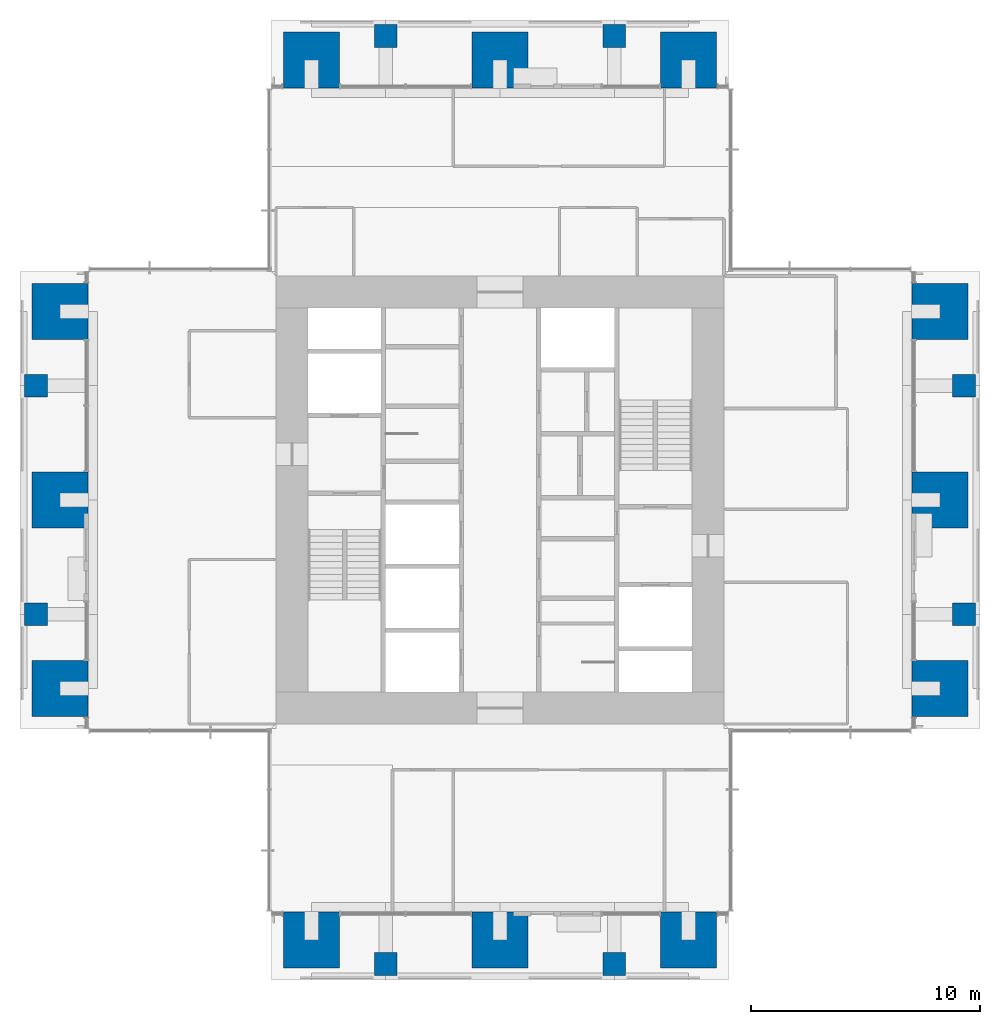
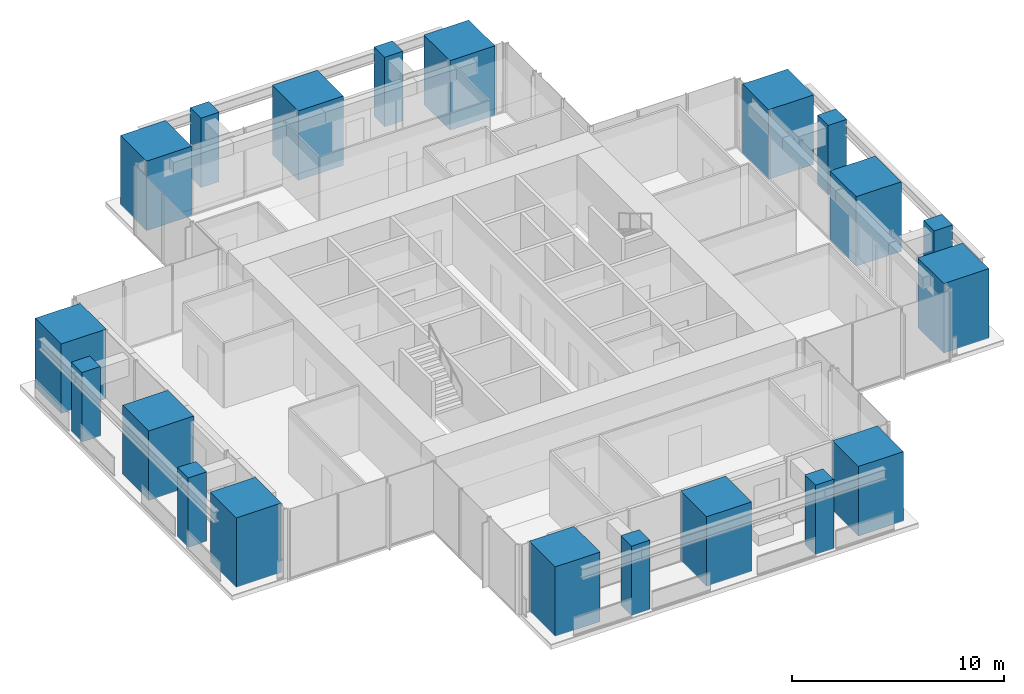
# One storey, part 1 of 17: 20 columns.
"""IFC4 building model written with IfcOpenShell, lengths in metres."""

import ifcopenshell
import ifcopenshell.guid

model = None  # the IFC model being written
_history = None  # IfcOwnerHistory: only IFC2X3 demands one
_inside = {}  # id of a spatial element -> (the spatial element, [elements in it])
_under = {}  # id of a project, library or spatial element -> (it, [spatial elements below it])
_declared = {}  # id of a project -> (the project, [libraries it declares])
_typed = {}  # id of a type object -> (the type object, [elements of that type])
_made_of = {}  # id of a material, layer set ... -> (it, [elements and type objects made of it])


def new_model(schema):
    """Start an empty IFC model of exactly this schema.

    Asked for "IFC4X3", IfcOpenShell would pick the latest addendum, in which some entities
    have other attributes; the version numbers below select the first issue.
    IFC2X3 requires an IfcOwnerHistory on every rooted entity: one is made here for all.
    """
    global model, _history
    if schema == "IFC4X3":
        model = ifcopenshell.file(schema_version=(4, 3, 0, 0))
    else:
        model = ifcopenshell.file(schema=schema)
    _inside.clear()
    _under.clear()
    _declared.clear()
    _typed.clear()
    _made_of.clear()
    _history = None
    if model.schema == "IFC2X3":
        org = make("IfcOrganization", Name="unknown")
        user = make(
            "IfcPersonAndOrganization",
            ThePerson=make("IfcPerson", FamilyName="unknown"),
            TheOrganization=org,
        )
        app = make(
            "IfcApplication",
            ApplicationDeveloper=org,
            Version="unknown",
            ApplicationFullName="unknown",
            ApplicationIdentifier="unknown",
        )
        _history = make(
            "IfcOwnerHistory",
            OwningUser=user,
            OwningApplication=app,
            ChangeAction="ADDED",
            CreationDate=0,
        )
    return model


def make(cls, **values):
    """One entity of the class cls with the attributes given. An attribute that is None is left unset."""
    return model.create_entity(
        cls, **{name: value for name, value in values.items() if value is not None}
    )


def rooted(cls, **values):
    """An entity with a GlobalId (a new one), such as an element, a storey or a relation."""
    return make(cls, GlobalId=ifcopenshell.guid.new(), OwnerHistory=_history, **values)


def si_unit(unit_type, name, prefix=None):
    """IfcSIUnit, for example si_unit("LENGTHUNIT", "METRE", prefix="MILLI")."""
    return make("IfcSIUnit", UnitType=unit_type, Prefix=prefix, Name=name)


def assignment(units):
    """IfcUnitAssignment: the units of a project."""
    return None if units is None else make("IfcUnitAssignment", Units=units)


def point(xyz):
    """IfcCartesianPoint."""
    return None if xyz is None else make("IfcCartesianPoint", Coordinates=xyz)


def direction(xyz):
    """IfcDirection."""
    return None if xyz is None else make("IfcDirection", DirectionRatios=xyz)


def frame(location, z_axis=None, x_axis=None):
    """IfcAxis2Placement3D, a coordinate frame: its origin and axes. An axis left out is left unset."""
    return make(
        "IfcAxis2Placement3D",
        Location=point(location),
        Axis=direction(z_axis),
        RefDirection=direction(x_axis),
    )


def frame_2d(location, x_axis=None):
    """IfcAxis2Placement2D, a coordinate frame in the plane: its origin and x axis."""
    return make(
        "IfcAxis2Placement2D", Location=point(location), RefDirection=direction(x_axis)
    )


def origin():
    """The frame at (0, 0, 0) with its axes left unset."""
    return frame((0.0, 0.0, 0.0))


def origin_2d():
    """The frame at (0, 0) in the plane with its x axis left unset."""
    return frame_2d((0.0, 0.0))


def place(relative_to, where):
    """IfcLocalPlacement: puts the frame where relative to a parent placement (None: the world)."""
    return make(
        "IfcLocalPlacement", PlacementRelTo=relative_to, RelativePlacement=where
    )


def context(
    kind, dimensions, precision=None, world=None, true_north=None, identifier=None
):
    """IfcGeometricRepresentationContext, for example the 3D "Model" context."""
    return make(
        "IfcGeometricRepresentationContext",
        ContextIdentifier=identifier,
        ContextType=kind,
        CoordinateSpaceDimension=dimensions,
        Precision=precision,
        WorldCoordinateSystem=world,
        TrueNorth=true_north,
    )


def subcontext(parent, identifier, kind, view, scale=None):
    """IfcGeometricRepresentationSubContext, for example "Body" below "Model"."""
    return make(
        "IfcGeometricRepresentationSubContext",
        ContextIdentifier=identifier,
        ContextType=kind,
        ParentContext=parent,
        TargetScale=scale,
        TargetView=view,
    )


def project(units=None, contexts=None):
    """IfcProject with its units and contexts."""
    return rooted(
        "IfcProject",
        Name="project",
        RepresentationContexts=contexts,
        UnitsInContext=assignment(units),
    )


def spatial(cls, under=None, at=None, **own):
    """A site, building, storey or space (cls), placed at a placement, below another one or the project."""
    s = rooted(cls, ObjectPlacement=at, **own)
    if under is not None:
        _under.setdefault(under.id(), (under, []))[1].append(s)
    return s


def profile(cls, at=None, kind="AREA", **sizes):
    """A parametric profile (cls). Its sizes go by their IFC names, for example OverallWidth=200.0."""
    return make(cls, ProfileType=kind, Position=at, **sizes)


def rectangle(**sizes):
    """IfcRectangleProfileDef."""
    return profile("IfcRectangleProfileDef", **sizes)


def extrude(swept, where, along, depth):
    """IfcExtrudedAreaSolid: the profile swept, set in the frame where, extruded along a direction by depth."""
    return make(
        "IfcExtrudedAreaSolid",
        SweptArea=swept,
        Position=where,
        ExtrudedDirection=direction(along),
        Depth=depth,
    )


def shape(context_of_items, identifier, shape_type, items):
    """IfcShapeRepresentation: the items that make up one representation, for example the "Body"."""
    return make(
        "IfcShapeRepresentation",
        ContextOfItems=context_of_items,
        RepresentationIdentifier=identifier,
        RepresentationType=shape_type,
        Items=items,
    )


def material(Name=None, Category=None):
    """IfcMaterial."""
    return make("IfcMaterial", Name=Name, Category=Category)


def material_profile(
    of_material, cross_section, Name=None, Category=None, Priority=None
):
    """IfcMaterialProfile: a cross section and its material."""
    return make(
        "IfcMaterialProfile",
        Name=Name,
        Material=of_material,
        Profile=cross_section,
        Priority=Priority,
        Category=Category,
    )


def profile_set(profiles, Name=None, composite=None):
    """IfcMaterialProfileSet."""
    return make(
        "IfcMaterialProfileSet",
        Name=Name,
        MaterialProfiles=profiles,
        CompositeProfile=composite,
    )


def made_of(thing, what):
    """Note that an element or type object is made of a material, layer set ...; save() writes the relation."""
    if what is not None:
        _made_of.setdefault(what.id(), (what, []))[1].append(thing)
    return thing


def type_object(cls, material=None, **own):
    """A type object (cls), such as IfcWallType, which elements share."""
    return made_of(rooted(cls, **own), material)


def element(
    cls,
    number,
    at=None,
    inside=None,
    cuts=None,
    type_object=None,
    material=None,
    context=None,
    identifier="Body",
    shape_type=None,
    held_by="IfcProductDefinitionShape",
    body=None,
    shapes=None,
    **own,
):
    """One element of the class cls, such as IfcWall. Its Tag is "e" and its number.

    at: its placement. inside: the storey or other place that contains it. cuts: it is an
    opening in that element (IfcRelVoidsElement). A single representation is given by context,
    identifier, shape_type and body (its items); several are given by shapes. held_by: the class
    of the entity that holds the representations. save() writes the other relations.
    """
    e = rooted(cls, Tag="e%d" % number, ObjectPlacement=at, **own)
    if body is not None:
        shapes = [shape(context, identifier, shape_type, body)]
    if shapes is not None:
        e.Representation = make(held_by, Representations=shapes)
    if inside is not None:
        _inside.setdefault(inside.id(), (inside, []))[1].append(e)
    if cuts is not None:
        rooted(
            "IfcRelVoidsElement", RelatingBuildingElement=cuts, RelatedOpeningElement=e
        )
    if type_object is not None:
        _typed.setdefault(type_object.id(), (type_object, []))[1].append(e)
    return made_of(e, material)


def aggregate(whole, parts):
    """IfcRelAggregates: a whole, such as a stair, and the parts it consists of."""
    return rooted("IfcRelAggregates", RelatingObject=whole, RelatedObjects=parts)


def save(model, path):
    """Write the relations noted so far, then the file.

    IfcRelAggregates (storeys below a building ...), IfcRelContainedInSpatialStructure (elements
    in a storey), IfcRelDefinesByType, IfcRelAssociatesMaterial and IfcRelDeclares: one each for
    every whole, place, type object, material and project.
    """
    for whole, parts in _under.values():
        aggregate(whole, parts)
    for where, things in _inside.values():
        rooted(
            "IfcRelContainedInSpatialStructure",
            RelatedElements=things,
            RelatingStructure=where,
        )
    for kind, things in _typed.values():
        rooted("IfcRelDefinesByType", RelatedObjects=things, RelatingType=kind)
    for what, things in _made_of.values():
        rooted("IfcRelAssociatesMaterial", RelatedObjects=things, RelatingMaterial=what)
    for by, libraries in _declared.values():
        rooted("IfcRelDeclares", RelatingContext=by, RelatedDefinitions=libraries)
    model.write(path)


model = new_model("IFC4")

# Units and contexts
model_context = context("Model", 3, precision=1e-05, world=origin(), true_north=direction((0.0, 1.0)))
body_context = subcontext(model_context, "Body", "Model", "MODEL_VIEW")
ifc_project = project(units=[si_unit("LENGTHUNIT", "METRE"), si_unit("AREAUNIT", "SQUARE_METRE"), si_unit("VOLUMEUNIT", "CUBIC_METRE"), si_unit("PLANEANGLEUNIT", "RADIAN"), si_unit("MASSUNIT", "GRAM", prefix="KILO")], contexts=[model_context])

# Site, building, storey
site_placement = place(None, origin())
site = spatial("IfcSite", under=ifc_project, at=site_placement, CompositionType="ELEMENT")
building_placement = place(site_placement, origin())
building = spatial("IfcBuilding", under=site, at=building_placement, Name="Svetlomir Tower", CompositionType="ELEMENT")
storey_placement = place(building_placement, frame((0.0, 0.0, 170.5)))
storey = spatial("IfcBuildingStorey", under=building, at=storey_placement, Name="L40", CompositionType="ELEMENT", Elevation=170.5)

# Columns
ifc_material_1 = material(Name="Concrete C60/75", Category="concrete")
ifc_material_profile_1 = material_profile(ifc_material_1, rectangle(XDim=1.0, YDim=1.0, at=origin_2d()), Name="RC 1000x1000")
ifc_profile_set_1 = profile_set([ifc_material_profile_1], Name="Concrete C60/75")
column_type_1 = type_object("IfcColumnType", Name="COLUMN RC 1000x1000", PredefinedType="COLUMN", material=ifc_profile_set_1)
for number, where, z_axis, x_axis, name in (
    (1, (16.0, 0.699951171875, 0.0), (0.0, 0.0, 1.0), (1.0, 0.0, 0.0), "Column 16/0 L40"),
    (2, (26.0, 0.699951171875, 0.0), (0.0, 0.0, 1.0), (1.0, 0.0, 0.0), "Column 26/0 L40"),
    (3, (0.699951171875, 16.0, 0.0), (0.0, 0.0, 1.0), (1.0, 0.0, 0.0), "Column 0/16 L40"),
    (4, (41.300048828125, 16.0, 0.0), (0.0, 0.0, 1.0), (1.0, 0.0, 0.0), "Column 42/16 L40"),
    (5, (0.699951171875, 26.0, 0.0), (0.0, 0.0, 1.0), (1.0, 0.0, 0.0), "Column 0/26 L40"),
    (6, (41.300048828125, 26.0, 0.0), (0.0, 0.0, 1.0), (1.0, 0.0, 0.0), "Column 42/26 L40"),
    (7, (16.0, 41.300048828125, 0.0), (0.0, 0.0, 1.0), (1.0, 0.0, 0.0), "Column 16/42 L40"),
    (8, (26.0, 41.300048828125, 0.0), (0.0, 0.0, 1.0), (1.0, 0.0, 0.0), "Column 26/42 L40"),
):
    element("IfcColumn", number, at=place(storey_placement, frame(where, z_axis=z_axis, x_axis=x_axis)), inside=storey, type_object=column_type_1, Name=name, PredefinedType="COLUMN", context=body_context, shape_type="SweptSolid", body=[
        extrude(rectangle(XDim=1.0, YDim=1.0, at=origin_2d()), origin(), (0.0, 0.0, 1.0), 4.0),
    ])
ifc_material_2 = material(Name="Concrete C60/75", Category="concrete")
ifc_material_profile_2 = material_profile(ifc_material_2, rectangle(XDim=2.449951171875, YDim=2.449951171875, at=origin_2d()), Name="RC 2450x2450")
ifc_profile_set_2 = profile_set([ifc_material_profile_2], Name="Concrete C60/75")
column_type_2 = type_object("IfcColumnType", Name="COLUMN RC 2450x2450", PredefinedType="COLUMN", material=ifc_profile_set_2)
for number, where, z_axis, x_axis, name in (
    (9, (12.75, 1.75, 0.0), (0.0, 0.0, 1.0), (1.0, 0.0, 0.0), "Column 11/0 L40"),
    (10, (21.0, 1.75, 0.0), (0.0, 0.0, 1.0), (1.0, 0.0, 0.0), "Column 21/0 L40"),
    (11, (29.25, 1.75, 0.0), (0.0, 0.0, 1.0), (1.0, 0.0, 0.0), "Column 31/0 L40"),
    (12, (1.75, 12.75, 0.0), (0.0, 0.0, 1.0), (1.0, 0.0, 0.0), "Column 0/11 L40"),
    (13, (40.25, 12.75, 0.0), (0.0, 0.0, 1.0), (1.0, 0.0, 0.0), "Column 42/11 L40"),
    (14, (1.75, 21.0, 0.0), (0.0, 0.0, 1.0), (1.0, 0.0, 0.0), "Column 0/21 L40"),
    (15, (40.25, 21.0, 0.0), (0.0, 0.0, 1.0), (1.0, 0.0, 0.0), "Column 42/21 L40"),
    (16, (1.75, 29.25, 0.0), (0.0, 0.0, 1.0), (1.0, 0.0, 0.0), "Column 0/31 L40"),
    (17, (40.25, 29.25, 0.0), (0.0, 0.0, 1.0), (1.0, 0.0, 0.0), "Column 42/31 L40"),
    (18, (12.75, 40.25, 0.0), (0.0, 0.0, 1.0), (1.0, 0.0, 0.0), "Column 11/42 L40"),
    (19, (21.0, 40.25, 0.0), (0.0, 0.0, 1.0), (1.0, 0.0, 0.0), "Column 21/42 L40"),
    (20, (29.25, 40.25, 0.0), (0.0, 0.0, 1.0), (1.0, 0.0, 0.0), "Column 31/42 L40"),
):
    element("IfcColumn", number, at=place(storey_placement, frame(where, z_axis=z_axis, x_axis=x_axis)), inside=storey, type_object=column_type_2, Name=name, PredefinedType="COLUMN", context=body_context, shape_type="SweptSolid", body=[
        extrude(rectangle(XDim=2.449951171875, YDim=2.449951171875, at=origin_2d()), origin(), (0.0, 0.0, 1.0), 4.0),
    ])

save(model, "model.ifc")
